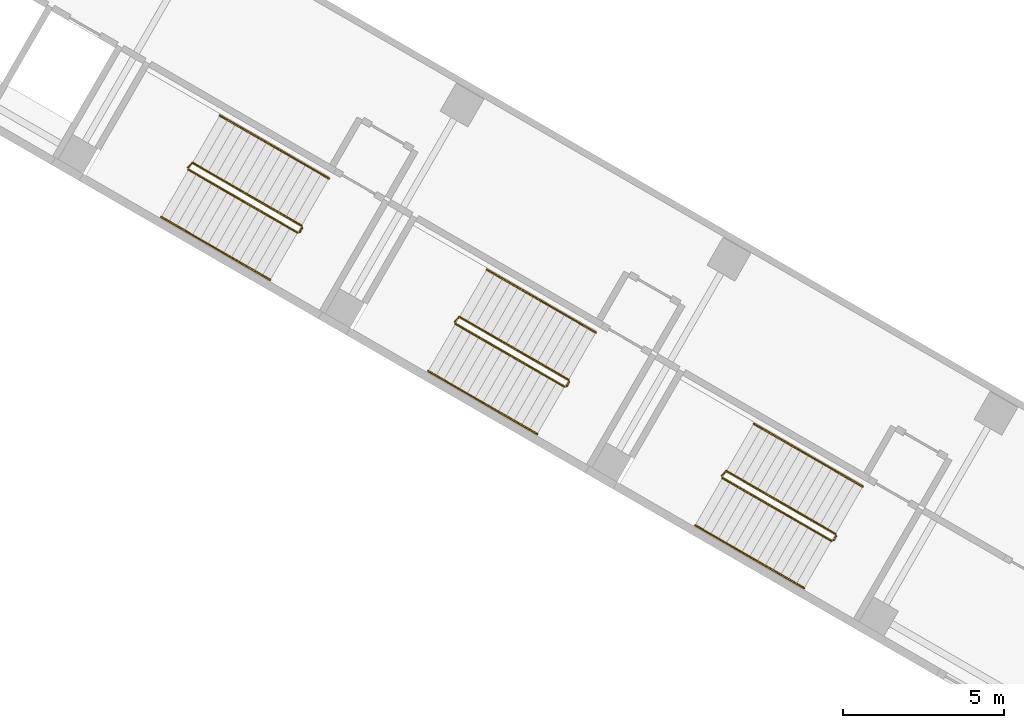
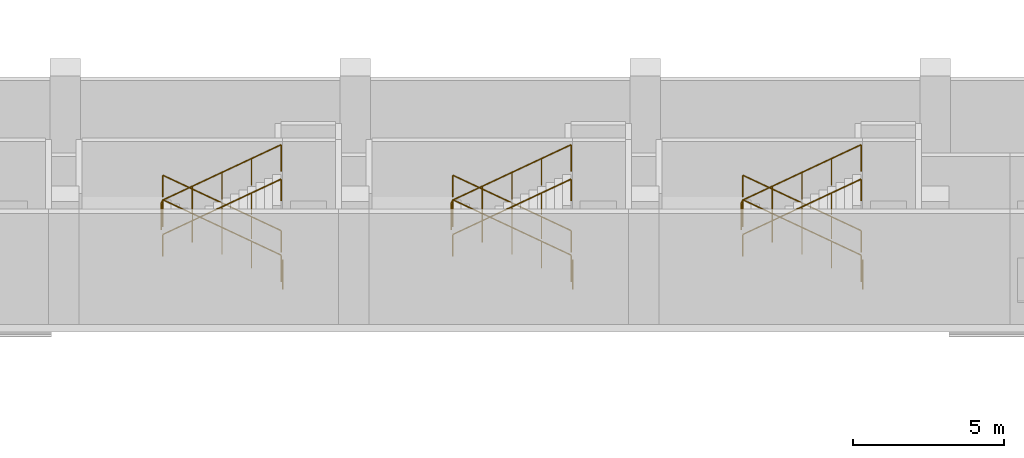
# One storey, part 21 of 28: 15 railings.
"""IFC4 building model written with IfcOpenShell, lengths in metres."""

from ifc_helpers import new_model, si_unit, direction, frame, origin, origin_2d, place, context, subcontext, project, spatial, circle, extrude, material, type_object, element, save


model = new_model("IFC4")

# Units and contexts
model_context = context("Model", 3, precision=1e-05, world=origin(), true_north=direction((0.0, 1.0)))
body_context = subcontext(model_context, "Body", "Model", "MODEL_VIEW")
ifc_project = project(units=[si_unit("LENGTHUNIT", "METRE"), si_unit("AREAUNIT", "SQUARE_METRE"), si_unit("VOLUMEUNIT", "CUBIC_METRE"), si_unit("PLANEANGLEUNIT", "RADIAN"), si_unit("MASSUNIT", "GRAM", prefix="KILO")], contexts=[model_context])

# Site, building, storey
site_placement = place(None, origin())
site = spatial("IfcSite", under=ifc_project, at=site_placement, CompositionType="ELEMENT")
building_placement = place(site_placement, origin())
building = spatial("IfcBuilding", under=site, at=building_placement, Name="Mestral Congress Tower", CompositionType="ELEMENT")
storey_placement = place(building_placement, frame((0.0, 0.0, 11.39990234375)))
storey = spatial("IfcBuildingStorey", under=building, at=storey_placement, Name="L02", CompositionType="ELEMENT", Elevation=11.39990234375)

# Railings
ifc_material_1 = material(Name="Steel balustrade", Category="steel")
railing_type_1 = type_object("IfcRailingType", Name="Podium stair guard 1100", PredefinedType="GUARDRAIL", material=ifc_material_1)
railing_1_placement = place(storey_placement, frame((-51.764892578125, -13.703369140625, 0.16015625)))
element("IfcRailing", 1, at=railing_1_placement, inside=storey, type_object=railing_type_1, Name="L02 PS-W4 stair guard 1", PredefinedType="GUARDRAIL", context=body_context, shape_type="SweptSolid", body=[
    extrude(circle(Radius=0.02392578125, at=origin_2d()), frame((0.0, 0.0, 1.076171875), z_axis=(-0.751919994781, 0.434118210579, 0.496142822878), x_axis=(-0.499997407846, -0.86602690036, 0.0)), (0.0, 0.0, 1.0), 4.514892578125),
    extrude(circle(Radius=0.02392578125, at=origin_2d()), frame((-3.394775390625, 1.9599609375, 3.31591796875), z_axis=(-0.695164929852, -0.718850276695, 0.0), x_axis=(0.718850276695, -0.695164929852, 0.0)), (0.0, 0.0, 1.0), 0.2060546875),
    extrude(circle(Radius=0.02099609375, at=origin_2d()), origin(), (0.0, 0.0, 1.0), 1.052001953125),
    extrude(circle(Radius=0.02099609375, at=origin_2d()), frame((-0.8486328125, 0.489990234375, 0.56005859375)), (0.0, 0.0, 1.0), 1.052001953125),
    extrude(circle(Radius=0.02099609375, at=origin_2d()), frame((-1.697265625, 0.97998046875, 1.1201171875)), (0.0, 0.0, 1.0), 1.052001953125),
    extrude(circle(Radius=0.02099609375, at=origin_2d()), frame((-2.546142578125, 1.469970703125, 1.679931640625)), (0.0, 0.0, 1.0), 1.052001953125),
    extrude(circle(Radius=0.02099609375, at=origin_2d()), frame((-3.394775390625, 1.9599609375, 2.239990234375)), (0.0, 0.0, 1.0), 1.052001953125),
    extrude(circle(Radius=0.02099609375, at=origin_2d()), frame((-3.5380859375, 1.811767578125, 2.239990234375)), (0.0, 0.0, 1.0), 1.052001953125),
])
railing_2_placement = place(storey_placement, frame((-55.28466796875, -11.9599609375, 2.56005859375)))
element("IfcRailing", 2, at=railing_2_placement, inside=storey, type_object=railing_type_1, Name="L02 PS-W4 stair guard 2", PredefinedType="GUARDRAIL", context=body_context, shape_type="SweptSolid", body=[
    extrude(circle(Radius=0.02392578125, at=origin_2d()), frame((0.0, 0.0, 1.076171875), z_axis=(0.751919994781, -0.434118210579, 0.496142822878), x_axis=(0.499997407846, 0.86602690036, 0.0)), (0.0, 0.0, 1.0), 4.514892578125),
    extrude(circle(Radius=0.02099609375, at=origin_2d()), origin(), (0.0, 0.0, 1.0), 1.052001953125),
    extrude(circle(Radius=0.02099609375, at=origin_2d()), frame((0.8486328125, -0.489990234375, 0.56005859375)), (0.0, 0.0, 1.0), 1.052001953125),
    extrude(circle(Radius=0.02099609375, at=origin_2d()), frame((1.697265625, -0.97998046875, 1.1201171875)), (0.0, 0.0, 1.0), 1.052001953125),
    extrude(circle(Radius=0.02099609375, at=origin_2d()), frame((2.546142578125, -1.469970703125, 1.679931640625)), (0.0, 0.0, 1.0), 1.052001953125),
    extrude(circle(Radius=0.02099609375, at=origin_2d()), frame((3.394775390625, -1.9599609375, 2.239990234375)), (0.0, 0.0, 1.0), 1.052001953125),
])
railing_3_placement = place(storey_placement, frame((-51.74658203125, -13.771728515625, 0.0)))
element("IfcRailing", 3, at=railing_3_placement, inside=storey, type_object=railing_type_1, Name="L02 PS-W4 stair guard 3", PredefinedType="GUARDRAIL", context=body_context, shape_type="SweptSolid", body=[
    extrude(circle(Radius=0.02392578125, at=origin_2d()), frame((0.0, 0.0, 1.076171875), z_axis=(-0.499816412211, -0.866131372301, 0.0), x_axis=(0.866131372301, -0.499816412211, 0.0)), (0.0, 0.0, 1.0), 0.14990234375),
    extrude(circle(Radius=0.02099609375, at=origin_2d()), origin(), (0.0, 0.0, 1.0), 1.052001953125),
    extrude(circle(Radius=0.02099609375, at=origin_2d()), frame((-0.074951171875, -0.1298828125, 0.0)), (0.0, 0.0, 1.0), 1.052001953125),
])
railing_4_placement = place(storey_placement, frame((-60.078857421875, -8.903564453125, 0.16015625)))
element("IfcRailing", 4, at=railing_4_placement, inside=storey, type_object=railing_type_1, Name="L02 PS-W5 stair guard 1", PredefinedType="GUARDRAIL", context=body_context, shape_type="SweptSolid", body=[
    extrude(circle(Radius=0.02392578125, at=origin_2d()), frame((0.0, 0.0, 1.076171875), z_axis=(-0.751902342857, 0.434162093549, 0.496131175528), x_axis=(-0.500044117093, -0.865999931271, 0.0)), (0.0, 0.0, 1.0), 4.514892578125),
    extrude(circle(Radius=0.02392578125, at=origin_2d()), frame((-3.394775390625, 1.960205078125, 3.31591796875), z_axis=(-0.695164929852, -0.718850276695, 0.0), x_axis=(0.718850276695, -0.695164929852, 0.0)), (0.0, 0.0, 1.0), 0.2060546875),
    extrude(circle(Radius=0.02099609375, at=origin_2d()), origin(), (0.0, 0.0, 1.0), 1.052001953125),
    extrude(circle(Radius=0.02099609375, at=origin_2d()), frame((-0.8486328125, 0.489990234375, 0.56005859375)), (0.0, 0.0, 1.0), 1.052001953125),
    extrude(circle(Radius=0.02099609375, at=origin_2d()), frame((-1.697265625, 0.97998046875, 1.1201171875)), (0.0, 0.0, 1.0), 1.052001953125),
    extrude(circle(Radius=0.02099609375, at=origin_2d()), frame((-2.546142578125, 1.47021484375, 1.679931640625)), (0.0, 0.0, 1.0), 1.052001953125),
    extrude(circle(Radius=0.02099609375, at=origin_2d()), frame((-3.394775390625, 1.960205078125, 2.239990234375)), (0.0, 0.0, 1.0), 1.052001953125),
    extrude(circle(Radius=0.02099609375, at=origin_2d()), frame((-3.5380859375, 1.81201171875, 2.239990234375)), (0.0, 0.0, 1.0), 1.052001953125),
])
railing_5_placement = place(storey_placement, frame((-63.5986328125, -7.159912109375, 2.56005859375)))
element("IfcRailing", 5, at=railing_5_placement, inside=storey, type_object=railing_type_1, Name="L02 PS-W5 stair guard 2", PredefinedType="GUARDRAIL", context=body_context, shape_type="SweptSolid", body=[
    extrude(circle(Radius=0.02392578125, at=origin_2d()), frame((0.0, 0.0, 1.076171875), z_axis=(0.751919994781, -0.434118210579, 0.496142822878), x_axis=(0.499997407846, 0.86602690036, 0.0)), (0.0, 0.0, 1.0), 4.514892578125),
    extrude(circle(Radius=0.02099609375, at=origin_2d()), origin(), (0.0, 0.0, 1.0), 1.052001953125),
    extrude(circle(Radius=0.02099609375, at=origin_2d()), frame((0.8486328125, -0.489990234375, 0.56005859375)), (0.0, 0.0, 1.0), 1.052001953125),
    extrude(circle(Radius=0.02099609375, at=origin_2d()), frame((1.697265625, -0.97998046875, 1.1201171875)), (0.0, 0.0, 1.0), 1.052001953125),
    extrude(circle(Radius=0.02099609375, at=origin_2d()), frame((2.546142578125, -1.469970703125, 1.679931640625)), (0.0, 0.0, 1.0), 1.052001953125),
    extrude(circle(Radius=0.02099609375, at=origin_2d()), frame((3.394775390625, -1.9599609375, 2.239990234375)), (0.0, 0.0, 1.0), 1.052001953125),
])
railing_6_placement = place(storey_placement, frame((-60.060546875, -8.9716796875, 0.0)))
element("IfcRailing", 6, at=railing_6_placement, inside=storey, type_object=railing_type_1, Name="L02 PS-W5 stair guard 3", PredefinedType="GUARDRAIL", context=body_context, shape_type="SweptSolid", body=[
    extrude(circle(Radius=0.02392578125, at=origin_2d()), frame((0.0, 0.0, 1.076171875), z_axis=(-0.499816412211, -0.866131372301, 0.0), x_axis=(0.866131372301, -0.499816412211, 0.0)), (0.0, 0.0, 1.0), 0.14990234375),
    extrude(circle(Radius=0.02099609375, at=origin_2d()), origin(), (0.0, 0.0, 1.0), 1.052001953125),
    extrude(circle(Radius=0.02099609375, at=origin_2d()), frame((-0.074951171875, -0.1298828125, 0.0)), (0.0, 0.0, 1.0), 1.052001953125),
])
railing_7_placement = place(storey_placement, frame((-68.392578125, -4.103515625, 0.16015625)))
element("IfcRailing", 7, at=railing_7_placement, inside=storey, type_object=railing_type_1, Name="L02 PS-W6 stair guard 1", PredefinedType="GUARDRAIL", context=body_context, shape_type="SweptSolid", body=[
    extrude(circle(Radius=0.02392578125, at=origin_2d()), frame((0.0, 0.0, 1.076171875), z_axis=(-0.751919994781, 0.434118210579, 0.496142822878), x_axis=(-0.499997407846, -0.86602690036, 0.0)), (0.0, 0.0, 1.0), 4.514892578125),
    extrude(circle(Radius=0.02392578125, at=origin_2d()), frame((-3.394775390625, 1.9599609375, 3.31591796875), z_axis=(-0.695164929852, -0.718850276695, 0.0), x_axis=(0.718850276695, -0.695164929852, 0.0)), (0.0, 0.0, 1.0), 0.2060546875),
    extrude(circle(Radius=0.02099609375, at=origin_2d()), origin(), (0.0, 0.0, 1.0), 1.052001953125),
    extrude(circle(Radius=0.02099609375, at=origin_2d()), frame((-0.8486328125, 0.489990234375, 0.56005859375)), (0.0, 0.0, 1.0), 1.052001953125),
    extrude(circle(Radius=0.02099609375, at=origin_2d()), frame((-1.697265625, 0.97998046875, 1.1201171875)), (0.0, 0.0, 1.0), 1.052001953125),
    extrude(circle(Radius=0.02099609375, at=origin_2d()), frame((-2.546142578125, 1.469970703125, 1.679931640625)), (0.0, 0.0, 1.0), 1.052001953125),
    extrude(circle(Radius=0.02099609375, at=origin_2d()), frame((-3.394775390625, 1.9599609375, 2.239990234375)), (0.0, 0.0, 1.0), 1.052001953125),
    extrude(circle(Radius=0.02099609375, at=origin_2d()), frame((-3.5380859375, 1.811767578125, 2.239990234375)), (0.0, 0.0, 1.0), 1.052001953125),
])
railing_8_placement = place(storey_placement, frame((-71.912353515625, -2.35986328125, 2.56005859375)))
element("IfcRailing", 8, at=railing_8_placement, inside=storey, type_object=railing_type_1, Name="L02 PS-W6 stair guard 2", PredefinedType="GUARDRAIL", context=body_context, shape_type="SweptSolid", body=[
    extrude(circle(Radius=0.02392578125, at=origin_2d()), frame((0.0, 0.0, 1.076171875), z_axis=(0.751902342857, -0.434162093549, 0.496131175528), x_axis=(0.500044117093, 0.865999931271, 0.0)), (0.0, 0.0, 1.0), 4.514892578125),
    extrude(circle(Radius=0.02099609375, at=origin_2d()), origin(), (0.0, 0.0, 1.0), 1.052001953125),
    extrude(circle(Radius=0.02099609375, at=origin_2d()), frame((0.8486328125, -0.489990234375, 0.56005859375)), (0.0, 0.0, 1.0), 1.052001953125),
    extrude(circle(Radius=0.02099609375, at=origin_2d()), frame((1.697265625, -0.97998046875, 1.1201171875)), (0.0, 0.0, 1.0), 1.052001953125),
    extrude(circle(Radius=0.02099609375, at=origin_2d()), frame((2.546142578125, -1.47021484375, 1.679931640625)), (0.0, 0.0, 1.0), 1.052001953125),
    extrude(circle(Radius=0.02099609375, at=origin_2d()), frame((3.394775390625, -1.960205078125, 2.239990234375)), (0.0, 0.0, 1.0), 1.052001953125),
])
railing_9_placement = place(storey_placement, frame((-68.374267578125, -4.171630859375, 0.0)))
element("IfcRailing", 9, at=railing_9_placement, inside=storey, type_object=railing_type_1, Name="L02 PS-W6 stair guard 3", PredefinedType="GUARDRAIL", context=body_context, shape_type="SweptSolid", body=[
    extrude(circle(Radius=0.02392578125, at=origin_2d()), frame((0.0, 0.0, 1.076171875), z_axis=(-0.499112439033, -0.866537231285, 0.0), x_axis=(0.866537231285, -0.499112439033, 0.0)), (0.0, 0.0, 1.0), 0.150146484375),
    extrude(circle(Radius=0.02099609375, at=origin_2d()), origin(), (0.0, 0.0, 1.0), 1.052001953125),
    extrude(circle(Radius=0.02099609375, at=origin_2d()), frame((-0.074951171875, -0.130126953125, 0.0)), (0.0, 0.0, 1.0), 1.052001953125),
])
ifc_material_2 = material(Name="Steel handrail", Category="steel")
railing_type_2 = type_object("IfcRailingType", Name="Podium stair handrail 900", PredefinedType="HANDRAIL", material=ifc_material_2)
railing_10_placement = place(storey_placement, frame((-50.9150390625, -12.231201171875, 0.16015625)))
element("IfcRailing", 10, at=railing_10_placement, inside=storey, type_object=railing_type_2, Name="L02 PS-W4 stair handrail 1", PredefinedType="HANDRAIL", context=body_context, shape_type="SweptSolid", body=[
    extrude(circle(Radius=0.02392578125, at=origin_2d()), frame((0.0, 0.0, 0.8759765625), z_axis=(-0.751919994781, 0.434118210579, 0.496142822878), x_axis=(-0.499997407846, -0.86602690036, 0.0)), (0.0, 0.0, 1.0), 4.514892578125),
    extrude(circle(Radius=0.02099609375, at=origin_2d()), origin(), (0.0, 0.0, 1.0), 0.851806640625),
    extrude(circle(Radius=0.02099609375, at=origin_2d()), frame((-0.8486328125, 0.489990234375, 0.56005859375)), (0.0, 0.0, 1.0), 0.851806640625),
    extrude(circle(Radius=0.02099609375, at=origin_2d()), frame((-1.697265625, 0.97998046875, 1.1201171875)), (0.0, 0.0, 1.0), 0.851806640625),
    extrude(circle(Radius=0.02099609375, at=origin_2d()), frame((-2.546142578125, 1.469970703125, 1.679931640625)), (0.0, 0.0, 1.0), 0.851806640625),
    extrude(circle(Radius=0.02099609375, at=origin_2d()), frame((-3.394775390625, 1.9599609375, 2.239990234375)), (0.0, 0.0, 1.0), 0.851806640625),
])
railing_11_placement = place(storey_placement, frame((-56.134765625, -13.43212890625, 2.56005859375)))
element("IfcRailing", 11, at=railing_11_placement, inside=storey, type_object=railing_type_2, Name="L02 PS-W4 stair handrail 2", PredefinedType="HANDRAIL", context=body_context, shape_type="SweptSolid", body=[
    extrude(circle(Radius=0.02392578125, at=origin_2d()), frame((0.0, 0.0, 0.8759765625), z_axis=(0.751919994781, -0.434118210579, 0.496142822878), x_axis=(0.499997407846, 0.86602690036, 0.0)), (0.0, 0.0, 1.0), 4.514892578125),
    extrude(circle(Radius=0.02099609375, at=origin_2d()), origin(), (0.0, 0.0, 1.0), 0.851806640625),
    extrude(circle(Radius=0.02099609375, at=origin_2d()), frame((0.8486328125, -0.489990234375, 0.56005859375)), (0.0, 0.0, 1.0), 0.851806640625),
    extrude(circle(Radius=0.02099609375, at=origin_2d()), frame((1.697265625, -0.97998046875, 1.1201171875)), (0.0, 0.0, 1.0), 0.851806640625),
    extrude(circle(Radius=0.02099609375, at=origin_2d()), frame((2.546142578125, -1.469970703125, 1.679931640625)), (0.0, 0.0, 1.0), 0.851806640625),
    extrude(circle(Radius=0.02099609375, at=origin_2d()), frame((3.394775390625, -1.9599609375, 2.239990234375)), (0.0, 0.0, 1.0), 0.851806640625),
])
railing_12_placement = place(storey_placement, frame((-59.228759765625, -7.43115234375, 0.16015625)))
element("IfcRailing", 12, at=railing_12_placement, inside=storey, type_object=railing_type_2, Name="L02 PS-W5 stair handrail 1", PredefinedType="HANDRAIL", context=body_context, shape_type="SweptSolid", body=[
    extrude(circle(Radius=0.02392578125, at=origin_2d()), frame((0.0, 0.0, 0.8759765625), z_axis=(-0.751919994781, 0.434118210579, 0.496142822878), x_axis=(-0.499997407846, -0.86602690036, 0.0)), (0.0, 0.0, 1.0), 4.514892578125),
    extrude(circle(Radius=0.02099609375, at=origin_2d()), origin(), (0.0, 0.0, 1.0), 0.851806640625),
    extrude(circle(Radius=0.02099609375, at=origin_2d()), frame((-0.8486328125, 0.489990234375, 0.56005859375)), (0.0, 0.0, 1.0), 0.851806640625),
    extrude(circle(Radius=0.02099609375, at=origin_2d()), frame((-1.697265625, 0.97998046875, 1.1201171875)), (0.0, 0.0, 1.0), 0.851806640625),
    extrude(circle(Radius=0.02099609375, at=origin_2d()), frame((-2.546142578125, 1.469970703125, 1.679931640625)), (0.0, 0.0, 1.0), 0.851806640625),
    extrude(circle(Radius=0.02099609375, at=origin_2d()), frame((-3.394775390625, 1.9599609375, 2.239990234375)), (0.0, 0.0, 1.0), 0.851806640625),
])
railing_13_placement = place(storey_placement, frame((-64.448486328125, -8.632080078125, 2.56005859375)))
element("IfcRailing", 13, at=railing_13_placement, inside=storey, type_object=railing_type_2, Name="L02 PS-W5 stair handrail 2", PredefinedType="HANDRAIL", context=body_context, shape_type="SweptSolid", body=[
    extrude(circle(Radius=0.02392578125, at=origin_2d()), frame((0.0, 0.0, 0.8759765625), z_axis=(0.751902342857, -0.434162093549, 0.496131175528), x_axis=(0.500044117093, 0.865999931271, 0.0)), (0.0, 0.0, 1.0), 4.514892578125),
    extrude(circle(Radius=0.02099609375, at=origin_2d()), origin(), (0.0, 0.0, 1.0), 0.851806640625),
    extrude(circle(Radius=0.02099609375, at=origin_2d()), frame((0.8486328125, -0.489990234375, 0.56005859375)), (0.0, 0.0, 1.0), 0.851806640625),
    extrude(circle(Radius=0.02099609375, at=origin_2d()), frame((1.697265625, -0.97998046875, 1.1201171875)), (0.0, 0.0, 1.0), 0.851806640625),
    extrude(circle(Radius=0.02099609375, at=origin_2d()), frame((2.546142578125, -1.47021484375, 1.679931640625)), (0.0, 0.0, 1.0), 0.851806640625),
    extrude(circle(Radius=0.02099609375, at=origin_2d()), frame((3.394775390625, -1.960205078125, 2.239990234375)), (0.0, 0.0, 1.0), 0.851806640625),
])
railing_14_placement = place(storey_placement, frame((-67.54248046875, -2.631103515625, 0.16015625)))
element("IfcRailing", 14, at=railing_14_placement, inside=storey, type_object=railing_type_2, Name="L02 PS-W6 stair handrail 1", PredefinedType="HANDRAIL", context=body_context, shape_type="SweptSolid", body=[
    extrude(circle(Radius=0.02392578125, at=origin_2d()), frame((0.0, 0.0, 0.8759765625), z_axis=(-0.751919994781, 0.434118210579, 0.496142822878), x_axis=(-0.499997407846, -0.86602690036, 0.0)), (0.0, 0.0, 1.0), 4.514892578125),
    extrude(circle(Radius=0.02099609375, at=origin_2d()), origin(), (0.0, 0.0, 1.0), 0.851806640625),
    extrude(circle(Radius=0.02099609375, at=origin_2d()), frame((-0.8486328125, 0.489990234375, 0.56005859375)), (0.0, 0.0, 1.0), 0.851806640625),
    extrude(circle(Radius=0.02099609375, at=origin_2d()), frame((-1.697265625, 0.97998046875, 1.1201171875)), (0.0, 0.0, 1.0), 0.851806640625),
    extrude(circle(Radius=0.02099609375, at=origin_2d()), frame((-2.546142578125, 1.469970703125, 1.679931640625)), (0.0, 0.0, 1.0), 0.851806640625),
    extrude(circle(Radius=0.02099609375, at=origin_2d()), frame((-3.394775390625, 1.9599609375, 2.239990234375)), (0.0, 0.0, 1.0), 0.851806640625),
])
railing_15_placement = place(storey_placement, frame((-72.762451171875, -3.832275390625, 2.56005859375)))
element("IfcRailing", 15, at=railing_15_placement, inside=storey, type_object=railing_type_2, Name="L02 PS-W6 stair handrail 2", PredefinedType="HANDRAIL", context=body_context, shape_type="SweptSolid", body=[
    extrude(circle(Radius=0.02392578125, at=origin_2d()), frame((0.0, 0.0, 0.8759765625), z_axis=(0.751943495447, -0.434100559575, 0.496122649988), x_axis=(0.499970440388, 0.866042469362, 0.0)), (0.0, 0.0, 1.0), 4.514892578125),
    extrude(circle(Radius=0.02099609375, at=origin_2d()), origin(), (0.0, 0.0, 1.0), 0.851806640625),
    extrude(circle(Radius=0.02099609375, at=origin_2d()), frame((0.8486328125, -0.489990234375, 0.56005859375)), (0.0, 0.0, 1.0), 0.851806640625),
    extrude(circle(Radius=0.02099609375, at=origin_2d()), frame((1.697509765625, -0.97998046875, 1.1201171875)), (0.0, 0.0, 1.0), 0.851806640625),
    extrude(circle(Radius=0.02099609375, at=origin_2d()), frame((2.54638671875, -1.469970703125, 1.679931640625)), (0.0, 0.0, 1.0), 0.851806640625),
    extrude(circle(Radius=0.02099609375, at=origin_2d()), frame((3.39501953125, -1.9599609375, 2.239990234375)), (0.0, 0.0, 1.0), 0.851806640625),
])

save(model, "model.ifc")
